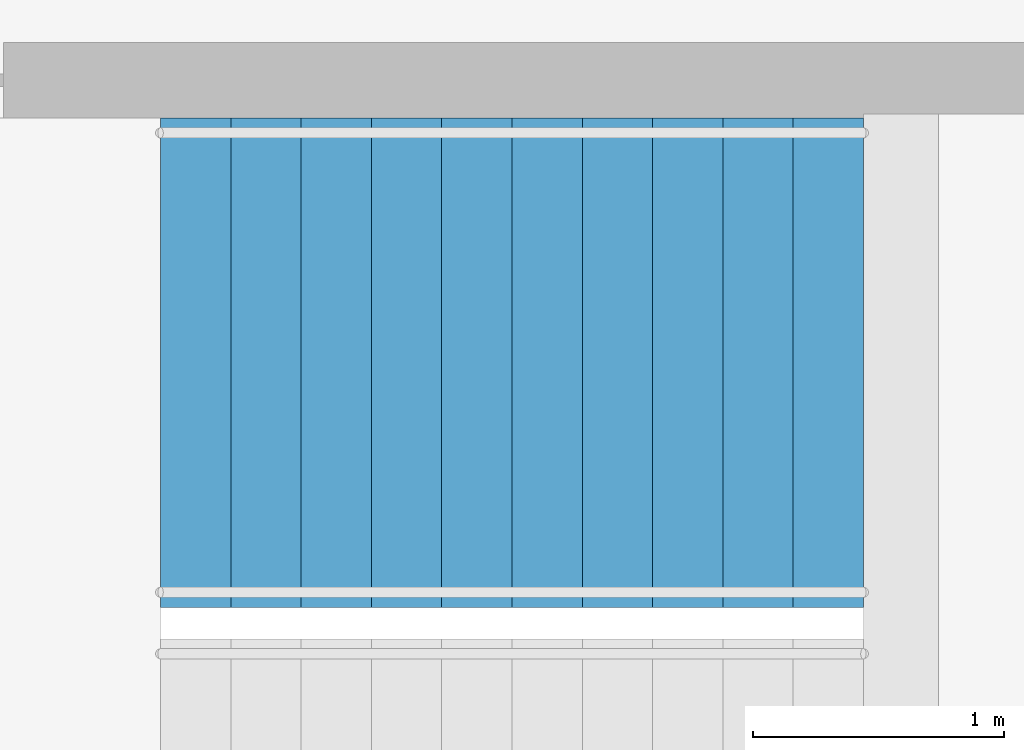
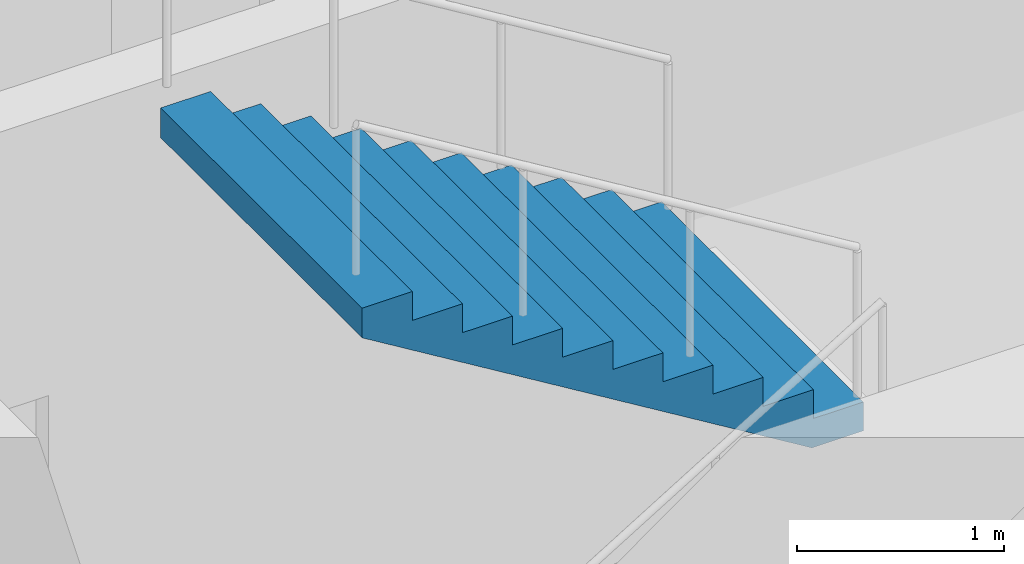
# One storey, part 24 of 28: 1 stair flight, 1 element without a shape of its own.
"""IFC4 building model written with IfcOpenShell, lengths in metres."""

from ifc_helpers import new_model, si_unit, direction, frame, origin, place, context, subcontext, project, spatial, triangles, material, type_object, element, aggregate, save


model = new_model("IFC4")

# Units and contexts
model_context = context("Model", 3, precision=1e-05, world=origin(), true_north=direction((0.0, 1.0)))
body_context = subcontext(model_context, "Body", "Model", "MODEL_VIEW")
ifc_project = project(units=[si_unit("LENGTHUNIT", "METRE"), si_unit("AREAUNIT", "SQUARE_METRE"), si_unit("VOLUMEUNIT", "CUBIC_METRE"), si_unit("PLANEANGLEUNIT", "RADIAN"), si_unit("MASSUNIT", "GRAM", prefix="KILO")], contexts=[model_context])

# Site, building, storey
site_placement = place(None, origin())
site = spatial("IfcSite", under=ifc_project, at=site_placement, CompositionType="ELEMENT")
building_placement = place(site_placement, origin())
building = spatial("IfcBuilding", under=site, at=building_placement, Name="Orbita Commons", CompositionType="ELEMENT")
storey_placement = place(building_placement, frame((0.0, 0.0, 193.60009765625)))
storey = spatial("IfcBuildingStorey", under=building, at=storey_placement, Name="L48", CompositionType="ELEMENT", Elevation=193.60009765625)

# Stair, stair flight
ifc_material_1 = material(Name="Precast concrete C40/50", Category="concrete")
stair_type = type_object("IfcStairType", Name="Exit stair S1 2 flights 11 risers 170", PredefinedType="HALF_TURN_STAIR", material=ifc_material_1)
stair_placement = place(storey_placement, origin())
stair = element("IfcStair", 1, at=stair_placement, inside=storey, type_object=stair_type, Name="Exit stair S1 L48", PredefinedType="HALF_TURN_STAIR")
ifc_material_2 = material(Name="Precast concrete C40/50", Category="concrete")
stair_flight_type = type_object("IfcStairFlightType", Name="Stair flight 11 risers 170 x 280", PredefinedType="STRAIGHT", material=ifc_material_2)
stair_flight_placement = place(storey_placement, frame((23.25, 29.27490234375, 1.875), z_axis=(0.0, 0.0, 1.0), x_axis=(-1.0, 0.0, 0.0)))
stair_flight = element("IfcStairFlight", 2, at=stair_flight_placement, type_object=stair_flight_type, Name="S1 flight 2", NumberOfRisers=11, NumberOfTreads=10, PredefinedType="STRAIGHT", RiserHeight=0.170454545, TreadLength=0.28, context=body_context, shape_type="Tessellation", body=[
    triangles([(0.0, 0.974976, 0.0), (0.0, 0.974976, 0.021307), (0.0, 0.81248, 0.021307), (0.0, 0.81248, 0.0), (0.0, 0.649984, 0.021307), (0.0, 0.649984, 0.0), (0.0, 0.487488, 0.021307), (0.0, 0.487488, 0.0), (0.0, 0.324992, 0.021307), (0.0, 0.324992, 0.0), (0.0, 0.162496, 0.021307), (0.0, 0.162496, 0.0), (0.0, 0.0, 0.021307), (0.0, 0.0, 0.0), (0.0, -0.162496, 0.021307), (0.0, -0.162496, 0.0), (0.0, -0.324992, 0.021307), (0.0, -0.324992, 0.0), (0.0, -0.487488, 0.021307), (0.0, -0.487488, 0.0), (0.0, -0.649984, 0.021307), (0.0, -0.649984, 0.0), (0.0, -0.81248, 0.021307), (0.0, -0.81248, 0.0), (0.0, -0.974976, 0.021307), (0.0, -0.974976, 0.0), (0.0, 0.974976, 0.042614), (0.0, 0.81248, 0.042614), (0.0, 0.649984, 0.042614), (0.0, 0.487488, 0.042614), (0.0, 0.324992, 0.042614), (0.0, 0.162496, 0.042614), (0.0, 0.0, 0.042614), (0.0, -0.162496, 0.042614), (0.0, -0.324992, 0.042614), (0.0, -0.487488, 0.042614), (0.0, -0.649984, 0.042614), (0.0, -0.81248, 0.042614), (0.0, -0.974976, 0.042614), (0.0, 0.974976, 0.06392), (0.0, 0.81248, 0.06392), (0.0, 0.649984, 0.06392), (0.0, 0.487488, 0.06392), (0.0, 0.324992, 0.06392), (0.0, 0.162496, 0.06392), (0.0, 0.0, 0.06392), (0.0, -0.162496, 0.06392), (0.0, -0.324992, 0.06392), (0.0, -0.487488, 0.06392), (0.0, -0.649984, 0.06392), (0.0, -0.81248, 0.06392), (0.0, -0.974976, 0.06392), (0.0, 0.974976, 0.085227), (0.0, 0.81248, 0.085227), (0.0, 0.649984, 0.085227), (0.0, 0.487488, 0.085227), (0.0, 0.324992, 0.085227), (0.0, 0.162496, 0.085227), (0.0, 0.0, 0.085227), (0.0, -0.162496, 0.085227), (0.0, -0.324992, 0.085227), (0.0, -0.487488, 0.085227), (0.0, -0.649984, 0.085227), (0.0, -0.81248, 0.085227), (0.0, -0.974976, 0.085227), (0.0, 0.974976, 0.106534), (0.0, 0.81248, 0.106534), (0.0, 0.649984, 0.106534), (0.0, 0.487488, 0.106534), (0.0, 0.324992, 0.106534), (0.0, 0.162496, 0.106534), (0.0, 0.0, 0.106534), (0.0, -0.162496, 0.106534), (0.0, -0.324992, 0.106534), (0.0, -0.487488, 0.106534), (0.0, -0.649984, 0.106534), (0.0, -0.81248, 0.106534), (0.0, -0.974976, 0.106534), (0.0, 0.974976, 0.127841), (0.0, 0.81248, 0.127841), (0.0, 0.649984, 0.127841), (0.0, 0.487488, 0.127841), (0.0, 0.324992, 0.127841), (0.0, 0.162496, 0.127841), (0.0, 0.0, 0.127841), (0.0, -0.162496, 0.127841), (0.0, -0.324992, 0.127841), (0.0, -0.487488, 0.127841), (0.0, -0.649984, 0.127841), (0.0, -0.81248, 0.127841), (0.0, -0.974976, 0.127841), (0.0, 0.974976, 0.149148), (0.0, 0.81248, 0.149148), (0.0, 0.649984, 0.149148), (0.0, 0.487488, 0.149148), (0.0, 0.324992, 0.149148), (0.0, 0.162496, 0.149148), (0.0, 0.0, 0.149148), (0.0, -0.162496, 0.149148), (0.0, -0.324992, 0.149148), (0.0, -0.487488, 0.149148), (0.0, -0.649984, 0.149148), (0.0, -0.81248, 0.149148), (0.0, -0.974976, 0.149148), (0.0, 0.974976, 0.170455), (0.0, 0.81248, 0.170455), (0.0, 0.649984, 0.170455), (0.0, 0.487488, 0.170455), (0.0, 0.324992, 0.170455), (0.0, 0.162496, 0.170455), (0.0, 0.0, 0.170455), (0.0, -0.162496, 0.170455), (0.0, -0.324992, 0.170455), (0.0, -0.487488, 0.170455), (0.0, -0.649984, 0.170455), (0.0, -0.81248, 0.170455), (0.0, -0.974976, 0.170455), (0.28, 0.974976, 0.170455), (0.28, 0.81248, 0.170455), (0.28, 0.649984, 0.170455), (0.28, 0.487488, 0.170455), (0.28, 0.324992, 0.170455), (0.28, 0.162496, 0.170455), (0.28, 0.0, 0.170455), (0.28, -0.162496, 0.170455), (0.28, -0.324992, 0.170455), (0.28, -0.487488, 0.170455), (0.28, -0.649984, 0.170455), (0.28, -0.81248, 0.170455), (0.28, -0.974976, 0.170455), (0.28, 0.974976, 0.340909), (0.28, 0.81248, 0.340909), (0.28, 0.649984, 0.340909), (0.28, 0.487488, 0.340909), (0.28, 0.324992, 0.340909), (0.28, 0.162496, 0.340909), (0.28, 0.0, 0.340909), (0.28, -0.162496, 0.340909), (0.28, -0.324992, 0.340909), (0.28, -0.487488, 0.340909), (0.28, -0.649984, 0.340909), (0.28, -0.81248, 0.340909), (0.28, -0.974976, 0.340909), (0.56, 0.974976, 0.340909), (0.56, 0.81248, 0.340909), (0.56, 0.649984, 0.340909), (0.56, 0.487488, 0.340909), (0.56, 0.324992, 0.340909), (0.56, 0.162496, 0.340909), (0.56, 0.0, 0.340909), (0.56, -0.162496, 0.340909), (0.56, -0.324992, 0.340909), (0.56, -0.487488, 0.340909), (0.56, -0.649984, 0.340909), (0.56, -0.81248, 0.340909), (0.56, -0.974976, 0.340909), (0.56, 0.974976, 0.511364), (0.56, 0.81248, 0.511364), (0.56, 0.649984, 0.511364), (0.56, 0.487488, 0.511364), (0.56, 0.324992, 0.511364), (0.56, 0.162496, 0.511364), (0.56, 0.0, 0.511364), (0.56, -0.162496, 0.511364), (0.56, -0.324992, 0.511364), (0.56, -0.487488, 0.511364), (0.56, -0.649984, 0.511364), (0.56, -0.81248, 0.511364), (0.56, -0.974976, 0.511364), (0.84, 0.974976, 0.511364), (0.84, 0.81248, 0.511364), (0.84, 0.649984, 0.511364), (0.84, 0.487488, 0.511364), (0.84, 0.324992, 0.511364), (0.84, 0.162496, 0.511364), (0.84, 0.0, 0.511364), (0.84, -0.162496, 0.511364), (0.84, -0.324992, 0.511364), (0.84, -0.487488, 0.511364), (0.84, -0.649984, 0.511364), (0.84, -0.81248, 0.511364), (0.84, -0.974976, 0.511364), (0.84, 0.974976, 0.681818), (0.84, 0.81248, 0.681818), (0.84, 0.649984, 0.681818), (0.84, 0.487488, 0.681818), (0.84, 0.324992, 0.681818), (0.84, 0.162496, 0.681818), (0.84, 0.0, 0.681818), (0.84, -0.162496, 0.681818), (0.84, -0.324992, 0.681818), (0.84, -0.487488, 0.681818), (0.84, -0.649984, 0.681818), (0.84, -0.81248, 0.681818), (0.84, -0.974976, 0.681818), (1.12, 0.974976, 0.681818), (1.12, 0.81248, 0.681818), (1.12, 0.649984, 0.681818), (1.12, 0.487488, 0.681818), (1.12, 0.324992, 0.681818), (1.12, 0.162496, 0.681818), (1.12, 0.0, 0.681818), (1.12, -0.162496, 0.681818), (1.12, -0.324992, 0.681818), (1.12, -0.487488, 0.681818), (1.12, -0.649984, 0.681818), (1.12, -0.81248, 0.681818), (1.12, -0.974976, 0.681818), (1.12, 0.974976, 0.852273), (1.12, 0.81248, 0.852273), (1.12, 0.649984, 0.852273), (1.12, 0.487488, 0.852273), (1.12, 0.324992, 0.852273), (1.12, 0.162496, 0.852273), (1.12, 0.0, 0.852273), (1.12, -0.162496, 0.852273), (1.12, -0.324992, 0.852273), (1.12, -0.487488, 0.852273), (1.12, -0.649984, 0.852273), (1.12, -0.81248, 0.852273), (1.12, -0.974976, 0.852273), (1.4, 0.974976, 0.852273), (1.4, 0.81248, 0.852273), (1.4, 0.649984, 0.852273), (1.4, 0.487488, 0.852273), (1.4, 0.324992, 0.852273), (1.4, 0.162496, 0.852273), (1.4, 0.0, 0.852273), (1.4, -0.162496, 0.852273), (1.4, -0.324992, 0.852273), (1.4, -0.487488, 0.852273), (1.4, -0.649984, 0.852273), (1.4, -0.81248, 0.852273), (1.4, -0.974976, 0.852273), (1.4, 0.974976, 1.022727), (1.4, 0.81248, 1.022727), (1.4, 0.649984, 1.022727), (1.4, 0.487488, 1.022727), (1.4, 0.324992, 1.022727), (1.4, 0.162496, 1.022727), (1.4, 0.0, 1.022727), (1.4, -0.162496, 1.022727), (1.4, -0.324992, 1.022727), (1.4, -0.487488, 1.022727), (1.4, -0.649984, 1.022727), (1.4, -0.81248, 1.022727), (1.4, -0.974976, 1.022727), (1.68, 0.974976, 1.022727), (1.68, 0.81248, 1.022727), (1.68, 0.649984, 1.022727), (1.68, 0.487488, 1.022727), (1.68, 0.324992, 1.022727), (1.68, 0.162496, 1.022727), (1.68, 0.0, 1.022727), (1.68, -0.162496, 1.022727), (1.68, -0.324992, 1.022727), (1.68, -0.487488, 1.022727), (1.68, -0.649984, 1.022727), (1.68, -0.81248, 1.022727), (1.68, -0.974976, 1.022727), (1.68, 0.974976, 1.193182), (1.68, 0.81248, 1.193182), (1.68, 0.649984, 1.193182), (1.68, 0.487488, 1.193182), (1.68, 0.324992, 1.193182), (1.68, 0.162496, 1.193182), (1.68, 0.0, 1.193182), (1.68, -0.162496, 1.193182), (1.68, -0.324992, 1.193182), (1.68, -0.487488, 1.193182), (1.68, -0.649984, 1.193182), (1.68, -0.81248, 1.193182), (1.68, -0.974976, 1.193182), (1.96, 0.974976, 1.193182), (1.96, 0.81248, 1.193182), (1.96, 0.649984, 1.193182), (1.96, 0.487488, 1.193182), (1.96, 0.324992, 1.193182), (1.96, 0.162496, 1.193182), (1.96, 0.0, 1.193182), (1.96, -0.162496, 1.193182), (1.96, -0.324992, 1.193182), (1.96, -0.487488, 1.193182), (1.96, -0.649984, 1.193182), (1.96, -0.81248, 1.193182), (1.96, -0.974976, 1.193182), (1.96, 0.974976, 1.363636), (1.96, 0.81248, 1.363636), (1.96, 0.649984, 1.363636), (1.96, 0.487488, 1.363636), (1.96, 0.324992, 1.363636), (1.96, 0.162496, 1.363636), (1.96, 0.0, 1.363636), (1.96, -0.162496, 1.363636), (1.96, -0.324992, 1.363636), (1.96, -0.487488, 1.363636), (1.96, -0.649984, 1.363636), (1.96, -0.81248, 1.363636), (1.96, -0.974976, 1.363636), (2.24, 0.974976, 1.363636), (2.24, 0.81248, 1.363636), (2.24, 0.649984, 1.363636), (2.24, 0.487488, 1.363636), (2.24, 0.324992, 1.363636), (2.24, 0.162496, 1.363636), (2.24, 0.0, 1.363636), (2.24, -0.162496, 1.363636), (2.24, -0.324992, 1.363636), (2.24, -0.487488, 1.363636), (2.24, -0.649984, 1.363636), (2.24, -0.81248, 1.363636), (2.24, -0.974976, 1.363636), (2.24, 0.974976, 1.534091), (2.24, 0.81248, 1.534091), (2.24, 0.649984, 1.534091), (2.24, 0.487488, 1.534091), (2.24, 0.324992, 1.534091), (2.24, 0.162496, 1.534091), (2.24, 0.0, 1.534091), (2.24, -0.162496, 1.534091), (2.24, -0.324992, 1.534091), (2.24, -0.487488, 1.534091), (2.24, -0.649984, 1.534091), (2.24, -0.81248, 1.534091), (2.24, -0.974976, 1.534091), (2.52, 0.974976, 1.534091), (2.52, 0.81248, 1.534091), (2.52, 0.649984, 1.534091), (2.52, 0.487488, 1.534091), (2.52, 0.324992, 1.534091), (2.52, 0.162496, 1.534091), (2.52, 0.0, 1.534091), (2.52, -0.162496, 1.534091), (2.52, -0.324992, 1.534091), (2.52, -0.487488, 1.534091), (2.52, -0.649984, 1.534091), (2.52, -0.81248, 1.534091), (2.52, -0.974976, 1.534091), (2.52, 0.974976, 1.704545), (2.52, 0.81248, 1.704545), (2.52, 0.649984, 1.704545), (2.52, 0.487488, 1.704545), (2.52, 0.324992, 1.704545), (2.52, 0.162496, 1.704545), (2.52, 0.0, 1.704545), (2.52, -0.162496, 1.704545), (2.52, -0.324992, 1.704545), (2.52, -0.487488, 1.704545), (2.52, -0.649984, 1.704545), (2.52, -0.81248, 1.704545), (2.52, -0.974976, 1.704545), (2.8, 0.974976, 1.704545), (2.8, 0.81248, 1.704545), (2.8, 0.649984, 1.704545), (2.8, 0.487488, 1.704545), (2.8, 0.324992, 1.704545), (2.8, 0.162496, 1.704545), (2.8, 0.0, 1.704545), (2.8, -0.162496, 1.704545), (2.8, -0.324992, 1.704545), (2.8, -0.487488, 1.704545), (2.8, -0.649984, 1.704545), (2.8, -0.81248, 1.704545), (2.8, -0.974976, 1.704545), (2.8, 0.974976, 1.682609), (2.8, 0.81248, 1.682609), (2.8, 0.649984, 1.682609), (2.8, 0.487488, 1.682609), (2.8, 0.324992, 1.682609), (2.8, 0.162496, 1.682609), (2.8, 0.0, 1.682609), (2.8, -0.162496, 1.682609), (2.8, -0.324992, 1.682609), (2.8, -0.487488, 1.682609), (2.8, -0.649984, 1.682609), (2.8, -0.81248, 1.682609), (2.8, -0.974976, 1.682609), (2.8, 0.974976, 1.660672), (2.8, 0.81248, 1.660672), (2.8, 0.649984, 1.660672), (2.8, 0.487488, 1.660672), (2.8, 0.324992, 1.660672), (2.8, 0.162496, 1.660672), (2.8, 0.0, 1.660672), (2.8, -0.162496, 1.660672), (2.8, -0.324992, 1.660672), (2.8, -0.487488, 1.660672), (2.8, -0.649984, 1.660672), (2.8, -0.81248, 1.660672), (2.8, -0.974976, 1.660672), (2.8, 0.974976, 1.638735), (2.8, 0.81248, 1.638735), (2.8, 0.649984, 1.638735), (2.8, 0.487488, 1.638735), (2.8, 0.324992, 1.638735), (2.8, 0.162496, 1.638735), (2.8, 0.0, 1.638735), (2.8, -0.162496, 1.638735), (2.8, -0.324992, 1.638735), (2.8, -0.487488, 1.638735), (2.8, -0.649984, 1.638735), (2.8, -0.81248, 1.638735), (2.8, -0.974976, 1.638735), (2.8, 0.974976, 1.616798), (2.8, 0.81248, 1.616798), (2.8, 0.649984, 1.616798), (2.8, 0.487488, 1.616798), (2.8, 0.324992, 1.616798), (2.8, 0.162496, 1.616798), (2.8, 0.0, 1.616798), (2.8, -0.162496, 1.616798), (2.8, -0.324992, 1.616798), (2.8, -0.487488, 1.616798), (2.8, -0.649984, 1.616798), (2.8, -0.81248, 1.616798), (2.8, -0.974976, 1.616798), (2.8, 0.974976, 1.594861), (2.8, 0.81248, 1.594861), (2.8, 0.649984, 1.594861), (2.8, 0.487488, 1.594861), (2.8, 0.324992, 1.594861), (2.8, 0.162496, 1.594861), (2.8, 0.0, 1.594861), (2.8, -0.162496, 1.594861), (2.8, -0.324992, 1.594861), (2.8, -0.487488, 1.594861), (2.8, -0.649984, 1.594861), (2.8, -0.81248, 1.594861), (2.8, -0.974976, 1.594861), (2.8, 0.974976, 1.572925), (2.8, 0.81248, 1.572925), (2.8, 0.649984, 1.572925), (2.8, 0.487488, 1.572925), (2.8, 0.324992, 1.572925), (2.8, 0.162496, 1.572925), (2.8, 0.0, 1.572925), (2.8, -0.162496, 1.572925), (2.8, -0.324992, 1.572925), (2.8, -0.487488, 1.572925), (2.8, -0.649984, 1.572925), (2.8, -0.81248, 1.572925), (2.8, -0.974976, 1.572925), (2.8, 0.974976, 1.550988), (2.8, 0.81248, 1.550988), (2.8, 0.649984, 1.550988), (2.8, 0.487488, 1.550988), (2.8, 0.324992, 1.550988), (2.8, 0.162496, 1.550988), (2.8, 0.0, 1.550988), (2.8, -0.162496, 1.550988), (2.8, -0.324992, 1.550988), (2.8, -0.487488, 1.550988), (2.8, -0.649984, 1.550988), (2.8, -0.81248, 1.550988), (2.8, -0.974976, 1.550988), (2.8, 0.974976, 1.529051), (2.8, 0.81248, 1.529051), (2.8, 0.649984, 1.529051), (2.8, 0.487488, 1.529051), (2.8, 0.324992, 1.529051), (2.8, 0.162496, 1.529051), (2.8, 0.0, 1.529051), (2.8, -0.162496, 1.529051), (2.8, -0.324992, 1.529051), (2.8, -0.487488, 1.529051), (2.8, -0.649984, 1.529051), (2.8, -0.81248, 1.529051), (2.8, -0.974976, 1.529051), (0.288279, 0.974976, 0.0), (0.288279, 0.81248, 0.0), (0.288279, 0.649984, 0.0), (0.288279, 0.487488, 0.0), (0.288279, 0.324992, 0.0), (0.288279, 0.162496, 0.0), (0.288279, 0.0, 0.0), (0.288279, -0.162496, 0.0), (0.288279, -0.324992, 0.0), (0.288279, -0.487488, 0.0), (0.288279, -0.649984, 0.0), (0.288279, -0.81248, 0.0), (0.288279, -0.974976, 0.0)], [[3, 2, 1], [4, 3, 1], [5, 3, 4], [6, 5, 4], [7, 5, 6], [8, 7, 6], [9, 7, 8], [10, 9, 8], [11, 9, 10], [12, 11, 10], [13, 11, 12], [14, 13, 12], [15, 13, 14], [16, 15, 14], [17, 15, 16], [18, 17, 16], [19, 17, 18], [20, 19, 18], [21, 19, 20], [22, 21, 20], [23, 21, 22], [24, 23, 22], [25, 23, 24], [26, 25, 24], [28, 27, 2], [3, 28, 2], [29, 28, 3], [5, 29, 3], [30, 29, 5], [7, 30, 5], [31, 30, 7], [9, 31, 7], [32, 31, 9], [11, 32, 9], [33, 32, 11], [13, 33, 11], [34, 33, 13], [15, 34, 13], [35, 34, 15], [17, 35, 15], [36, 35, 17], [19, 36, 17], [37, 36, 19], [21, 37, 19], [38, 37, 21], [23, 38, 21], [39, 38, 23], [25, 39, 23], [41, 40, 27], [28, 41, 27], [42, 41, 28], [29, 42, 28], [43, 42, 29], [30, 43, 29], [44, 43, 30], [31, 44, 30], [45, 44, 31], [32, 45, 31], [46, 45, 32], [33, 46, 32], [47, 46, 33], [34, 47, 33], [48, 47, 34], [35, 48, 34], [49, 48, 35], [36, 49, 35], [50, 49, 36], [37, 50, 36], [51, 50, 37], [38, 51, 37], [52, 51, 38], [39, 52, 38], [54, 53, 40], [41, 54, 40], [55, 54, 41], [42, 55, 41], [56, 55, 42], [43, 56, 42], [57, 56, 43], [44, 57, 43], [58, 57, 44], [45, 58, 44], [59, 58, 45], [46, 59, 45], [60, 59, 46], [47, 60, 46], [61, 60, 47], [48, 61, 47], [62, 61, 48], [49, 62, 48], [63, 62, 49], [50, 63, 49], [64, 63, 50], [51, 64, 50], [65, 64, 51], [52, 65, 51], [67, 66, 53], [54, 67, 53], [68, 67, 54], [55, 68, 54], [69, 68, 55], [56, 69, 55], [70, 69, 56], [57, 70, 56], [71, 70, 57], [58, 71, 57], [72, 71, 58], [59, 72, 58], [73, 72, 59], [60, 73, 59], [74, 73, 60], [61, 74, 60], [75, 74, 61], [62, 75, 61], [76, 75, 62], [63, 76, 62], [77, 76, 63], [64, 77, 63], [78, 77, 64], [65, 78, 64], [80, 79, 66], [67, 80, 66], [81, 80, 67], [68, 81, 67], [82, 81, 68], [69, 82, 68], [83, 82, 69], [70, 83, 69], [84, 83, 70], [71, 84, 70], [85, 84, 71], [72, 85, 71], [86, 85, 72], [73, 86, 72], [87, 86, 73], [74, 87, 73], [88, 87, 74], [75, 88, 74], [89, 88, 75], [76, 89, 75], [90, 89, 76], [77, 90, 76], [91, 90, 77], [78, 91, 77], [93, 92, 79], [80, 93, 79], [94, 93, 80], [81, 94, 80], [95, 94, 81], [82, 95, 81], [96, 95, 82], [83, 96, 82], [97, 96, 83], [84, 97, 83], [98, 97, 84], [85, 98, 84], [99, 98, 85], [86, 99, 85], [100, 99, 86], [87, 100, 86], [101, 100, 87], [88, 101, 87], [102, 101, 88], [89, 102, 88], [103, 102, 89], [90, 103, 89], [104, 103, 90], [91, 104, 90], [106, 105, 92], [93, 106, 92], [107, 106, 93], [94, 107, 93], [108, 107, 94], [95, 108, 94], [109, 108, 95], [96, 109, 95], [110, 109, 96], [97, 110, 96], [111, 110, 97], [98, 111, 97], [112, 111, 98], [99, 112, 98], [113, 112, 99], [100, 113, 99], [114, 113, 100], [101, 114, 100], [115, 114, 101], [102, 115, 101], [116, 115, 102], [103, 116, 102], [117, 116, 103], [104, 117, 103], [119, 118, 105], [106, 119, 105], [120, 119, 106], [107, 120, 106], [121, 120, 107], [108, 121, 107], [122, 121, 108], [109, 122, 108], [123, 122, 109], [110, 123, 109], [124, 123, 110], [111, 124, 110], [125, 124, 111], [112, 125, 111], [126, 125, 112], [113, 126, 112], [127, 126, 113], [114, 127, 113], [128, 127, 114], [115, 128, 114], [129, 128, 115], [116, 129, 115], [130, 129, 116], [117, 130, 116], [132, 131, 118], [119, 132, 118], [133, 132, 119], [120, 133, 119], [134, 133, 120], [121, 134, 120], [135, 134, 121], [122, 135, 121], [136, 135, 122], [123, 136, 122], [137, 136, 123], [124, 137, 123], [138, 137, 124], [125, 138, 124], [139, 138, 125], [126, 139, 125], [140, 139, 126], [127, 140, 126], [141, 140, 127], [128, 141, 127], [142, 141, 128], [129, 142, 128], [143, 142, 129], [130, 143, 129], [145, 144, 131], [132, 145, 131], [146, 145, 132], [133, 146, 132], [147, 146, 133], [134, 147, 133], [148, 147, 134], [135, 148, 134], [149, 148, 135], [136, 149, 135], [150, 149, 136], [137, 150, 136], [151, 150, 137], [138, 151, 137], [152, 151, 138], [139, 152, 138], [153, 152, 139], [140, 153, 139], [154, 153, 140], [141, 154, 140], [155, 154, 141], [142, 155, 141], [156, 155, 142], [143, 156, 142], [158, 157, 144], [145, 158, 144], [159, 158, 145], [146, 159, 145], [160, 159, 146], [147, 160, 146], [161, 160, 147], [148, 161, 147], [162, 161, 148], [149, 162, 148], [163, 162, 149], [150, 163, 149], [164, 163, 150], [151, 164, 150], [165, 164, 151], [152, 165, 151], [166, 165, 152], [153, 166, 152], [167, 166, 153], [154, 167, 153], [168, 167, 154], [155, 168, 154], [169, 168, 155], [156, 169, 155], [171, 170, 157], [158, 171, 157], [172, 171, 158], [159, 172, 158], [173, 172, 159], [160, 173, 159], [174, 173, 160], [161, 174, 160], [175, 174, 161], [162, 175, 161], [176, 175, 162], [163, 176, 162], [177, 176, 163], [164, 177, 163], [178, 177, 164], [165, 178, 164], [179, 178, 165], [166, 179, 165], [180, 179, 166], [167, 180, 166], [181, 180, 167], [168, 181, 167], [182, 181, 168], [169, 182, 168], [184, 183, 170], [171, 184, 170], [185, 184, 171], [172, 185, 171], [186, 185, 172], [173, 186, 172], [187, 186, 173], [174, 187, 173], [188, 187, 174], [175, 188, 174], [189, 188, 175], [176, 189, 175], [190, 189, 176], [177, 190, 176], [191, 190, 177], [178, 191, 177], [192, 191, 178], [179, 192, 178], [193, 192, 179], [180, 193, 179], [194, 193, 180], [181, 194, 180], [195, 194, 181], [182, 195, 181], [197, 196, 183], [184, 197, 183], [198, 197, 184], [185, 198, 184], [199, 198, 185], [186, 199, 185], [200, 199, 186], [187, 200, 186], [201, 200, 187], [188, 201, 187], [202, 201, 188], [189, 202, 188], [203, 202, 189], [190, 203, 189], [204, 203, 190], [191, 204, 190], [205, 204, 191], [192, 205, 191], [206, 205, 192], [193, 206, 192], [207, 206, 193], [194, 207, 193], [208, 207, 194], [195, 208, 194], [210, 209, 196], [197, 210, 196], [211, 210, 197], [198, 211, 197], [212, 211, 198], [199, 212, 198], [213, 212, 199], [200, 213, 199], [214, 213, 200], [201, 214, 200], [215, 214, 201], [202, 215, 201], [216, 215, 202], [203, 216, 202], [217, 216, 203], [204, 217, 203], [218, 217, 204], [205, 218, 204], [219, 218, 205], [206, 219, 205], [220, 219, 206], [207, 220, 206], [221, 220, 207], [208, 221, 207], [223, 222, 209], [210, 223, 209], [224, 223, 210], [211, 224, 210], [225, 224, 211], [212, 225, 211], [226, 225, 212], [213, 226, 212], [227, 226, 213], [214, 227, 213], [228, 227, 214], [215, 228, 214], [229, 228, 215], [216, 229, 215], [230, 229, 216], [217, 230, 216], [231, 230, 217], [218, 231, 217], [232, 231, 218], [219, 232, 218], [233, 232, 219], [220, 233, 219], [234, 233, 220], [221, 234, 220], [236, 235, 222], [223, 236, 222], [237, 236, 223], [224, 237, 223], [238, 237, 224], [225, 238, 224], [239, 238, 225], [226, 239, 225], [240, 239, 226], [227, 240, 226], [241, 240, 227], [228, 241, 227], [242, 241, 228], [229, 242, 228], [243, 242, 229], [230, 243, 229], [244, 243, 230], [231, 244, 230], [245, 244, 231], [232, 245, 231], [246, 245, 232], [233, 246, 232], [247, 246, 233], [234, 247, 233], [249, 248, 235], [236, 249, 235], [250, 249, 236], [237, 250, 236], [251, 250, 237], [238, 251, 237], [252, 251, 238], [239, 252, 238], [253, 252, 239], [240, 253, 239], [254, 253, 240], [241, 254, 240], [255, 254, 241], [242, 255, 241], [256, 255, 242], [243, 256, 242], [257, 256, 243], [244, 257, 243], [258, 257, 244], [245, 258, 244], [259, 258, 245], [246, 259, 245], [260, 259, 246], [247, 260, 246], [262, 261, 248], [249, 262, 248], [263, 262, 249], [250, 263, 249], [264, 263, 250], [251, 264, 250], [265, 264, 251], [252, 265, 251], [266, 265, 252], [253, 266, 252], [267, 266, 253], [254, 267, 253], [268, 267, 254], [255, 268, 254], [269, 268, 255], [256, 269, 255], [270, 269, 256], [257, 270, 256], [271, 270, 257], [258, 271, 257], [272, 271, 258], [259, 272, 258], [273, 272, 259], [260, 273, 259], [275, 274, 261], [262, 275, 261], [276, 275, 262], [263, 276, 262], [277, 276, 263], [264, 277, 263], [278, 277, 264], [265, 278, 264], [279, 278, 265], [266, 279, 265], [280, 279, 266], [267, 280, 266], [281, 280, 267], [268, 281, 267], [282, 281, 268], [269, 282, 268], [283, 282, 269], [270, 283, 269], [284, 283, 270], [271, 284, 270], [285, 284, 271], [272, 285, 271], [286, 285, 272], [273, 286, 272], [288, 287, 274], [275, 288, 274], [289, 288, 275], [276, 289, 275], [290, 289, 276], [277, 290, 276], [291, 290, 277], [278, 291, 277], [292, 291, 278], [279, 292, 278], [293, 292, 279], [280, 293, 279], [294, 293, 280], [281, 294, 280], [295, 294, 281], [282, 295, 281], [296, 295, 282], [283, 296, 282], [297, 296, 283], [284, 297, 283], [298, 297, 284], [285, 298, 284], [299, 298, 285], [286, 299, 285], [301, 300, 287], [288, 301, 287], [302, 301, 288], [289, 302, 288], [303, 302, 289], [290, 303, 289], [304, 303, 290], [291, 304, 290], [305, 304, 291], [292, 305, 291], [306, 305, 292], [293, 306, 292], [307, 306, 293], [294, 307, 293], [308, 307, 294], [295, 308, 294], [309, 308, 295], [296, 309, 295], [310, 309, 296], [297, 310, 296], [311, 310, 297], [298, 311, 297], [312, 311, 298], [299, 312, 298], [314, 313, 300], [301, 314, 300], [315, 314, 301], [302, 315, 301], [316, 315, 302], [303, 316, 302], [317, 316, 303], [304, 317, 303], [318, 317, 304], [305, 318, 304], [319, 318, 305], [306, 319, 305], [320, 319, 306], [307, 320, 306], [321, 320, 307], [308, 321, 307], [322, 321, 308], [309, 322, 308], [323, 322, 309], [310, 323, 309], [324, 323, 310], [311, 324, 310], [325, 324, 311], [312, 325, 311], [327, 326, 313], [314, 327, 313], [328, 327, 314], [315, 328, 314], [329, 328, 315], [316, 329, 315], [330, 329, 316], [317, 330, 316], [331, 330, 317], [318, 331, 317], [332, 331, 318], [319, 332, 318], [333, 332, 319], [320, 333, 319], [334, 333, 320], [321, 334, 320], [335, 334, 321], [322, 335, 321], [336, 335, 322], [323, 336, 322], [337, 336, 323], [324, 337, 323], [338, 337, 324], [325, 338, 324], [340, 339, 326], [327, 340, 326], [341, 340, 327], [328, 341, 327], [342, 341, 328], [329, 342, 328], [343, 342, 329], [330, 343, 329], [344, 343, 330], [331, 344, 330], [345, 344, 331], [332, 345, 331], [346, 345, 332], [333, 346, 332], [347, 346, 333], [334, 347, 333], [348, 347, 334], [335, 348, 334], [349, 348, 335], [336, 349, 335], [350, 349, 336], [337, 350, 336], [351, 350, 337], [338, 351, 337], [353, 352, 339], [340, 353, 339], [354, 353, 340], [341, 354, 340], [355, 354, 341], [342, 355, 341], [356, 355, 342], [343, 356, 342], [357, 356, 343], [344, 357, 343], [358, 357, 344], [345, 358, 344], [359, 358, 345], [346, 359, 345], [360, 359, 346], [347, 360, 346], [361, 360, 347], [348, 361, 347], [362, 361, 348], [349, 362, 348], [363, 362, 349], [350, 363, 349], [364, 363, 350], [351, 364, 350], [366, 365, 352], [353, 366, 352], [367, 366, 353], [354, 367, 353], [368, 367, 354], [355, 368, 354], [369, 368, 355], [356, 369, 355], [370, 369, 356], [357, 370, 356], [371, 370, 357], [358, 371, 357], [372, 371, 358], [359, 372, 358], [373, 372, 359], [360, 373, 359], [374, 373, 360], [361, 374, 360], [375, 374, 361], [362, 375, 361], [376, 375, 362], [363, 376, 362], [377, 376, 363], [364, 377, 363], [379, 378, 365], [366, 379, 365], [380, 379, 366], [367, 380, 366], [381, 380, 367], [368, 381, 367], [382, 381, 368], [369, 382, 368], [383, 382, 369], [370, 383, 369], [384, 383, 370], [371, 384, 370], [385, 384, 371], [372, 385, 371], [386, 385, 372], [373, 386, 372], [387, 386, 373], [374, 387, 373], [388, 387, 374], [375, 388, 374], [389, 388, 375], [376, 389, 375], [390, 389, 376], [377, 390, 376], [392, 391, 378], [379, 392, 378], [393, 392, 379], [380, 393, 379], [394, 393, 380], [381, 394, 380], [395, 394, 381], [382, 395, 381], [396, 395, 382], [383, 396, 382], [397, 396, 383], [384, 397, 383], [398, 397, 384], [385, 398, 384], [399, 398, 385], [386, 399, 385], [400, 399, 386], [387, 400, 386], [401, 400, 387], [388, 401, 387], [402, 401, 388], [389, 402, 388], [403, 402, 389], [390, 403, 389], [405, 404, 391], [392, 405, 391], [406, 405, 392], [393, 406, 392], [407, 406, 393], [394, 407, 393], [408, 407, 394], [395, 408, 394], [409, 408, 395], [396, 409, 395], [410, 409, 396], [397, 410, 396], [411, 410, 397], [398, 411, 397], [412, 411, 398], [399, 412, 398], [413, 412, 399], [400, 413, 399], [414, 413, 400], [401, 414, 400], [415, 414, 401], [402, 415, 401], [416, 415, 402], [403, 416, 402], [418, 417, 404], [405, 418, 404], [419, 418, 405], [406, 419, 405], [420, 419, 406], [407, 420, 406], [421, 420, 407], [408, 421, 407], [422, 421, 408], [409, 422, 408], [423, 422, 409], [410, 423, 409], [424, 423, 410], [411, 424, 410], [425, 424, 411], [412, 425, 411], [426, 425, 412], [413, 426, 412], [427, 426, 413], [414, 427, 413], [428, 427, 414], [415, 428, 414], [429, 428, 415], [416, 429, 415], [431, 430, 417], [418, 431, 417], [432, 431, 418], [419, 432, 418], [433, 432, 419], [420, 433, 419], [434, 433, 420], [421, 434, 420], [435, 434, 421], [422, 435, 421], [436, 435, 422], [423, 436, 422], [437, 436, 423], [424, 437, 423], [438, 437, 424], [425, 438, 424], [439, 438, 425], [426, 439, 425], [440, 439, 426], [427, 440, 426], [441, 440, 427], [428, 441, 427], [442, 441, 428], [429, 442, 428], [444, 443, 430], [431, 444, 430], [445, 444, 431], [432, 445, 431], [446, 445, 432], [433, 446, 432], [447, 446, 433], [434, 447, 433], [448, 447, 434], [435, 448, 434], [449, 448, 435], [436, 449, 435], [450, 449, 436], [437, 450, 436], [451, 450, 437], [438, 451, 437], [452, 451, 438], [439, 452, 438], [453, 452, 439], [440, 453, 439], [454, 453, 440], [441, 454, 440], [455, 454, 441], [442, 455, 441], [457, 456, 443], [444, 457, 443], [458, 457, 444], [445, 458, 444], [459, 458, 445], [446, 459, 445], [460, 459, 446], [447, 460, 446], [461, 460, 447], [448, 461, 447], [462, 461, 448], [449, 462, 448], [463, 462, 449], [450, 463, 449], [464, 463, 450], [451, 464, 450], [465, 464, 451], [452, 465, 451], [466, 465, 452], [453, 466, 452], [467, 466, 453], [454, 467, 453], [468, 467, 454], [455, 468, 454], [470, 469, 456], [457, 470, 456], [471, 470, 457], [458, 471, 457], [472, 471, 458], [459, 472, 458], [473, 472, 459], [460, 473, 459], [474, 473, 460], [461, 474, 460], [475, 474, 461], [462, 475, 461], [476, 475, 462], [463, 476, 462], [477, 476, 463], [464, 477, 463], [478, 477, 464], [465, 478, 464], [479, 478, 465], [466, 479, 465], [480, 479, 466], [467, 480, 466], [481, 480, 467], [468, 481, 467], [4, 1, 469], [470, 4, 469], [6, 4, 470], [471, 6, 470], [8, 6, 471], [472, 8, 471], [10, 8, 472], [473, 10, 472], [12, 10, 473], [474, 12, 473], [14, 12, 474], [475, 14, 474], [16, 14, 475], [476, 16, 475], [18, 16, 476], [477, 18, 476], [20, 18, 477], [478, 20, 477], [22, 20, 478], [479, 22, 478], [24, 22, 479], [480, 24, 479], [26, 24, 480], [481, 26, 480], [456, 469, 1], [26, 481, 468], [443, 456, 1], [26, 468, 455], [430, 443, 1], [26, 455, 442], [417, 430, 1], [26, 442, 429], [404, 417, 1], [26, 429, 416], [391, 404, 1], [26, 416, 403], [378, 391, 1], [26, 403, 390], [365, 378, 1], [26, 390, 377], [339, 352, 365], [377, 364, 351], [326, 339, 365], [377, 351, 338], [300, 313, 326], [338, 325, 312], [300, 326, 365], [377, 338, 312], [274, 287, 300], [312, 299, 286], [274, 300, 365], [377, 312, 286], [248, 261, 274], [286, 273, 260], [248, 274, 365], [377, 286, 260], [222, 235, 248], [260, 247, 234], [222, 248, 365], [377, 260, 234], [196, 209, 222], [234, 221, 208], [196, 222, 365], [377, 234, 208], [170, 183, 196], [208, 195, 182], [170, 196, 365], [377, 208, 182], [144, 157, 170], [182, 169, 156], [144, 170, 365], [377, 182, 156], [118, 131, 144], [156, 143, 130], [118, 144, 365], [377, 156, 130], [118, 365, 1], [26, 377, 130], [92, 105, 118], [130, 117, 104], [79, 92, 118], [130, 104, 91], [66, 79, 118], [130, 91, 78], [53, 66, 118], [130, 78, 65], [40, 53, 118], [130, 65, 52], [27, 40, 118], [130, 52, 39], [2, 27, 118], [130, 39, 25], [1, 2, 118], [130, 25, 26]], closed=True),
])
aggregate(stair, [stair_flight])

save(model, "model.ifc")
